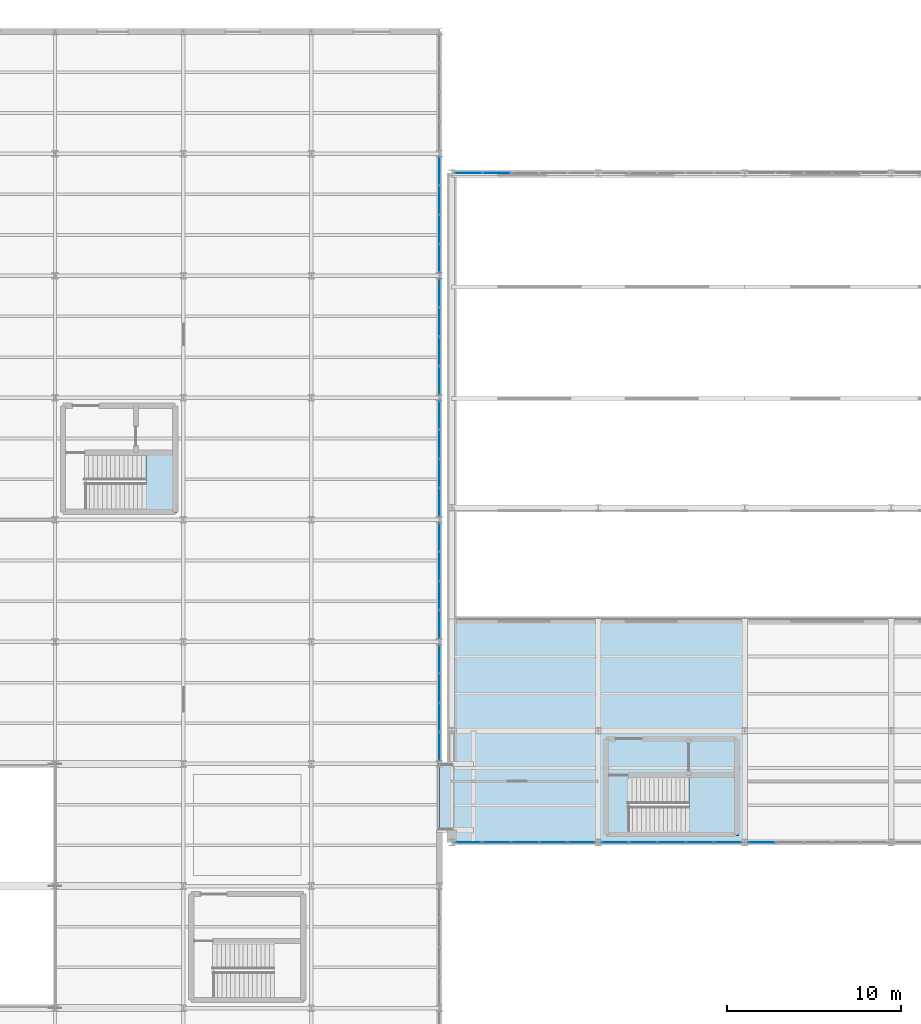
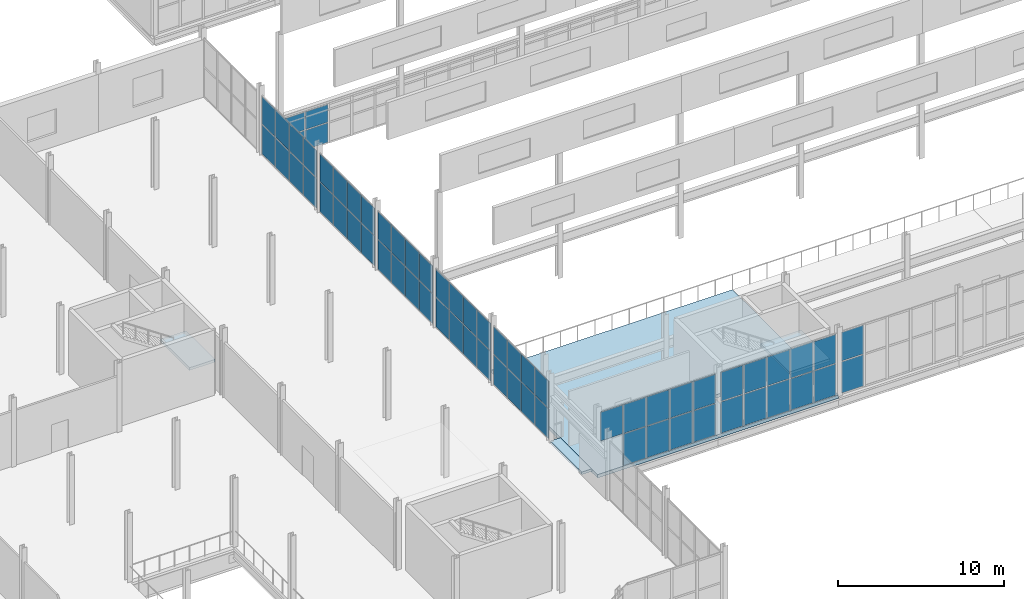
# One storey, part 179 of 218: 65 plates, 4 slabs, 11 elements without a shape of their own.
"""IFC4 building model written with IfcOpenShell, lengths in metres."""

from ifc_helpers import new_model, si_unit, direction, frame, origin, origin_2d, place, context, subcontext, project, spatial, polyline, rectangle, outline, extrude, material, layer, layer_set, type_object, element, aggregate, save


model = new_model("IFC4")

# Units and contexts
model_context = context("Model", 3, precision=1e-05, world=origin(), true_north=direction((0.0, 1.0)))
body_context = subcontext(model_context, "Body", "Model", "MODEL_VIEW")
ifc_project = project(units=[si_unit("LENGTHUNIT", "METRE"), si_unit("AREAUNIT", "SQUARE_METRE"), si_unit("VOLUMEUNIT", "CUBIC_METRE"), si_unit("PLANEANGLEUNIT", "RADIAN"), si_unit("MASSUNIT", "GRAM", prefix="KILO")], contexts=[model_context])

# Site, building, storey
site_placement = place(None, origin())
site = spatial("IfcSite", under=ifc_project, at=site_placement, CompositionType="ELEMENT")
building_placement = place(site_placement, origin())
building = spatial("IfcBuilding", under=site, at=building_placement, Name="Kazenagashi Tramway Depot", CompositionType="ELEMENT")
storey_placement = place(building_placement, frame((0.0, 0.0, 6.0)))
storey = spatial("IfcBuildingStorey", under=building, at=storey_placement, Name="L02", CompositionType="ELEMENT", Elevation=6.0)

# Curtain wall, plates
ifc_material_1 = material(Name="Anodised Aluminium and Low-E Glazing", Category="aluminium")
curtain_wall_type_1 = type_object("IfcCurtainWallType", Name="CW-20", PredefinedType="USERDEFINED", material=ifc_material_1)
curtain_wall_1_placement = place(storey_placement, origin())
curtain_wall_1 = element("IfcCurtainWall", 1, at=curtain_wall_1_placement, inside=storey, type_object=curtain_wall_type_1, Name="Industrial Glazed Screen CW-20 CW-0097", ObjectType="GLAZED SCREEN", PredefinedType="USERDEFINED")
ifc_material_2 = material(Name="Tempered Laminated Low-E Glass", Category="glass")
ifc_layer_1 = layer(ifc_material_2, 0.016)
ifc_layer_set_1 = layer_set([ifc_layer_1], Name="Tempered Laminated Low-E Glass")
plate_type_1 = type_object("IfcPlateType", Name="GL-01", PredefinedType="CURTAIN_PANEL", material=ifc_layer_set_1)
plate_1_placement = place(storey_placement, frame((62.567, 16.5, 0.06), z_axis=(0.0, 0.0, 1.0), x_axis=(1.0, 0.0, 0.0)))
plate_1 = element("IfcPlate", 2, at=plate_1_placement, type_object=plate_type_1, Name="CW-20 panel 1.1", PredefinedType="CURTAIN_PANEL", context=body_context, shape_type="SweptSolid", body=[
    extrude(rectangle(XDim=1.534, YDim=0.016, at=origin_2d()), origin(), (0.0, 0.0, 1.0), 2.302),
])
plate_2_placement = place(storey_placement, frame((62.567, 16.5, 2.422), z_axis=(0.0, 0.0, 1.0), x_axis=(1.0, 0.0, 0.0)))
plate_2 = element("IfcPlate", 3, at=plate_2_placement, type_object=plate_type_1, Name="CW-20 panel 1.2", PredefinedType="CURTAIN_PANEL", context=body_context, shape_type="SweptSolid", body=[
    extrude(rectangle(XDim=1.534, YDim=0.016, at=origin_2d()), origin(), (0.0, 0.0, 1.0), 2.118),
])
aggregate(curtain_wall_1, [plate_1, plate_2])

curtain_wall_type_2 = type_object("IfcCurtainWallType", Name="CW-34", PredefinedType="USERDEFINED", material=ifc_material_1)
curtain_wall_2_placement = place(storey_placement, origin())
curtain_wall_2 = element("IfcCurtainWall", 4, at=curtain_wall_2_placement, inside=storey, type_object=curtain_wall_type_2, Name="Industrial Glazed Screen CW-34 CW-0194", ObjectType="GLAZED SCREEN", PredefinedType="USERDEFINED")
ifc_layer_2 = layer(ifc_material_2, 0.018)
ifc_layer_set_2 = layer_set([ifc_layer_2], Name="Tempered Laminated Low-E Glass")
plate_type_2 = type_object("IfcPlateType", Name="GL-02", PredefinedType="CURTAIN_PANEL", material=ifc_layer_set_2)
plate_3_placement = place(storey_placement, frame((44.1, 49.995, 0.06), z_axis=(0.0, 0.0, 1.0), x_axis=(0.0, 1.0, 0.0)))
plate_3 = element("IfcPlate", 5, at=plate_3_placement, type_object=plate_type_2, Name="CW-34 panel 1.1", PredefinedType="CURTAIN_PANEL", context=body_context, shape_type="SweptSolid", body=[
    extrude(rectangle(XDim=1.59, YDim=0.018, at=origin_2d()), origin(), (0.0, 0.0, 1.0), 2.178),
])
plate_4_placement = place(storey_placement, frame((44.1, 49.995, 2.298), z_axis=(0.0, 0.0, 1.0), x_axis=(0.0, 1.0, 0.0)))
plate_4 = element("IfcPlate", 6, at=plate_4_placement, type_object=plate_type_2, Name="CW-34 panel 1.2", PredefinedType="CURTAIN_PANEL", context=body_context, shape_type="SweptSolid", body=[
    extrude(rectangle(XDim=1.59, YDim=0.018, at=origin_2d()), origin(), (0.0, 0.0, 1.0), 2.004),
])
plate_5_placement = place(storey_placement, frame((44.1, 51.66, 0.06), z_axis=(0.0, 0.0, 1.0), x_axis=(0.0, 1.0, 0.0)))
plate_5 = element("IfcPlate", 7, at=plate_5_placement, type_object=plate_type_2, Name="CW-34 panel 2.1", PredefinedType="CURTAIN_PANEL", context=body_context, shape_type="SweptSolid", body=[
    extrude(rectangle(XDim=1.62, YDim=0.018, at=origin_2d()), origin(), (0.0, 0.0, 1.0), 2.178),
])
plate_6_placement = place(storey_placement, frame((44.1, 51.66, 2.298), z_axis=(0.0, 0.0, 1.0), x_axis=(0.0, 1.0, 0.0)))
plate_6 = element("IfcPlate", 8, at=plate_6_placement, type_object=plate_type_2, Name="CW-34 panel 2.2", PredefinedType="CURTAIN_PANEL", context=body_context, shape_type="SweptSolid", body=[
    extrude(rectangle(XDim=1.62, YDim=0.018, at=origin_2d()), origin(), (0.0, 0.0, 1.0), 2.004),
])
plate_7_placement = place(storey_placement, frame((44.1, 53.34, 0.06), z_axis=(0.0, 0.0, 1.0), x_axis=(0.0, 1.0, 0.0)))
plate_7 = element("IfcPlate", 9, at=plate_7_placement, type_object=plate_type_2, Name="CW-34 panel 3.1", PredefinedType="CURTAIN_PANEL", context=body_context, shape_type="SweptSolid", body=[
    extrude(rectangle(XDim=1.62, YDim=0.018, at=origin_2d()), origin(), (0.0, 0.0, 1.0), 2.178),
])
plate_8_placement = place(storey_placement, frame((44.1, 53.34, 2.298), z_axis=(0.0, 0.0, 1.0), x_axis=(0.0, 1.0, 0.0)))
plate_8 = element("IfcPlate", 10, at=plate_8_placement, type_object=plate_type_2, Name="CW-34 panel 3.2", PredefinedType="CURTAIN_PANEL", context=body_context, shape_type="SweptSolid", body=[
    extrude(rectangle(XDim=1.62, YDim=0.018, at=origin_2d()), origin(), (0.0, 0.0, 1.0), 2.004),
])
plate_9_placement = place(storey_placement, frame((44.1, 55.005, 0.06), z_axis=(0.0, 0.0, 1.0), x_axis=(0.0, 1.0, 0.0)))
plate_9 = element("IfcPlate", 11, at=plate_9_placement, type_object=plate_type_2, Name="CW-34 panel 4.1", PredefinedType="CURTAIN_PANEL", context=body_context, shape_type="SweptSolid", body=[
    extrude(rectangle(XDim=1.59, YDim=0.018, at=origin_2d()), origin(), (0.0, 0.0, 1.0), 2.178),
])
plate_10_placement = place(storey_placement, frame((44.1, 55.005, 2.298), z_axis=(0.0, 0.0, 1.0), x_axis=(0.0, 1.0, 0.0)))
plate_10 = element("IfcPlate", 12, at=plate_10_placement, type_object=plate_type_2, Name="CW-34 panel 4.2", PredefinedType="CURTAIN_PANEL", context=body_context, shape_type="SweptSolid", body=[
    extrude(rectangle(XDim=1.59, YDim=0.018, at=origin_2d()), origin(), (0.0, 0.0, 1.0), 2.004),
])
aggregate(curtain_wall_2, [plate_3, plate_4, plate_5, plate_6, plate_7, plate_8, plate_9, plate_10])

curtain_wall_3_placement = place(storey_placement, origin())
curtain_wall_3 = element("IfcCurtainWall", 13, at=curtain_wall_3_placement, inside=storey, type_object=curtain_wall_type_2, Name="Industrial Glazed Screen CW-34 CW-0186", ObjectType="GLAZED SCREEN", PredefinedType="USERDEFINED")
ifc_layer_3 = layer(ifc_material_2, 0.034)
ifc_layer_set_3 = layer_set([ifc_layer_3], Name="Tempered Laminated Low-E Glass")
plate_type_3 = type_object("IfcPlateType", Name="GL-10", PredefinedType="CURTAIN_PANEL", material=ifc_layer_set_3)
plate_11_placement = place(storey_placement, frame((44.1, 21.995, 0.06), z_axis=(0.0, 0.0, 1.0), x_axis=(0.0, 1.0, 0.0)))
plate_11 = element("IfcPlate", 14, at=plate_11_placement, type_object=plate_type_3, Name="CW-34 panel 1.1", PredefinedType="CURTAIN_PANEL", context=body_context, shape_type="SweptSolid", body=[
    extrude(rectangle(XDim=1.59, YDim=0.034, at=origin_2d()), origin(), (0.0, 0.0, 1.0), 2.178),
])
plate_12_placement = place(storey_placement, frame((44.1, 21.995, 2.298), z_axis=(0.0, 0.0, 1.0), x_axis=(0.0, 1.0, 0.0)))
plate_12 = element("IfcPlate", 15, at=plate_12_placement, type_object=plate_type_3, Name="CW-34 panel 1.2", PredefinedType="CURTAIN_PANEL", context=body_context, shape_type="SweptSolid", body=[
    extrude(rectangle(XDim=1.59, YDim=0.034, at=origin_2d()), origin(), (0.0, 0.0, 1.0), 2.004),
])
plate_13_placement = place(storey_placement, frame((44.1, 23.66, 0.06), z_axis=(0.0, 0.0, 1.0), x_axis=(0.0, 1.0, 0.0)))
plate_13 = element("IfcPlate", 16, at=plate_13_placement, type_object=plate_type_3, Name="CW-34 panel 2.1", PredefinedType="CURTAIN_PANEL", context=body_context, shape_type="SweptSolid", body=[
    extrude(rectangle(XDim=1.62, YDim=0.034, at=origin_2d()), origin(), (0.0, 0.0, 1.0), 2.178),
])
plate_14_placement = place(storey_placement, frame((44.1, 23.66, 2.298), z_axis=(0.0, 0.0, 1.0), x_axis=(0.0, 1.0, 0.0)))
plate_14 = element("IfcPlate", 17, at=plate_14_placement, type_object=plate_type_3, Name="CW-34 panel 2.2", PredefinedType="CURTAIN_PANEL", context=body_context, shape_type="SweptSolid", body=[
    extrude(rectangle(XDim=1.62, YDim=0.034, at=origin_2d()), origin(), (0.0, 0.0, 1.0), 2.004),
])
plate_15_placement = place(storey_placement, frame((44.1, 25.34, 0.06), z_axis=(0.0, 0.0, 1.0), x_axis=(0.0, 1.0, 0.0)))
plate_15 = element("IfcPlate", 18, at=plate_15_placement, type_object=plate_type_3, Name="CW-34 panel 3.1", PredefinedType="CURTAIN_PANEL", context=body_context, shape_type="SweptSolid", body=[
    extrude(rectangle(XDim=1.62, YDim=0.034, at=origin_2d()), origin(), (0.0, 0.0, 1.0), 2.178),
])
plate_16_placement = place(storey_placement, frame((44.1, 25.34, 2.298), z_axis=(0.0, 0.0, 1.0), x_axis=(0.0, 1.0, 0.0)))
plate_16 = element("IfcPlate", 19, at=plate_16_placement, type_object=plate_type_3, Name="CW-34 panel 3.2", PredefinedType="CURTAIN_PANEL", context=body_context, shape_type="SweptSolid", body=[
    extrude(rectangle(XDim=1.62, YDim=0.034, at=origin_2d()), origin(), (0.0, 0.0, 1.0), 2.004),
])
plate_17_placement = place(storey_placement, frame((44.1, 27.005, 0.06), z_axis=(0.0, 0.0, 1.0), x_axis=(0.0, 1.0, 0.0)))
plate_17 = element("IfcPlate", 20, at=plate_17_placement, type_object=plate_type_3, Name="CW-34 panel 4.1", PredefinedType="CURTAIN_PANEL", context=body_context, shape_type="SweptSolid", body=[
    extrude(rectangle(XDim=1.59, YDim=0.034, at=origin_2d()), origin(), (0.0, 0.0, 1.0), 2.178),
])
plate_18_placement = place(storey_placement, frame((44.1, 27.005, 2.298), z_axis=(0.0, 0.0, 1.0), x_axis=(0.0, 1.0, 0.0)))
plate_18 = element("IfcPlate", 21, at=plate_18_placement, type_object=plate_type_3, Name="CW-34 panel 4.2", PredefinedType="CURTAIN_PANEL", context=body_context, shape_type="SweptSolid", body=[
    extrude(rectangle(XDim=1.59, YDim=0.034, at=origin_2d()), origin(), (0.0, 0.0, 1.0), 2.004),
])
aggregate(curtain_wall_3, [plate_11, plate_12, plate_13, plate_14, plate_15, plate_16, plate_17, plate_18])

curtain_wall_type_3 = type_object("IfcCurtainWallType", Name="CW-21", PredefinedType="USERDEFINED", material=ifc_material_1)
curtain_wall_4_placement = place(storey_placement, origin())
curtain_wall_4 = element("IfcCurtainWall", 22, at=curtain_wall_4_placement, inside=storey, type_object=curtain_wall_type_3, Name="Industrial Glazed Screen CW-21 CW-0107", ObjectType="GLAZED SCREEN", PredefinedType="USERDEFINED")
ifc_layer_4 = layer(ifc_material_2, 0.036)
ifc_layer_set_4 = layer_set([ifc_layer_4], Name="Tempered Laminated Low-E Glass")
plate_type_4 = type_object("IfcPlateType", Name="GL-11", PredefinedType="CURTAIN_PANEL", material=ifc_layer_set_4)
plate_19_placement = place(storey_placement, frame((45.767, 54.9, 0.06), z_axis=(0.0, 0.0, 1.0), x_axis=(1.0, 0.0, 0.0)))
plate_19 = element("IfcPlate", 23, at=plate_19_placement, type_object=plate_type_4, Name="CW-21 panel 1.1", PredefinedType="CURTAIN_PANEL", context=body_context, shape_type="SweptSolid", body=[
    extrude(rectangle(XDim=1.534, YDim=0.036, at=origin_2d()), origin(), (0.0, 0.0, 1.0), 1.418),
])
plate_20_placement = place(storey_placement, frame((45.767, 54.9, 1.538), z_axis=(0.0, 0.0, 1.0), x_axis=(1.0, 0.0, 0.0)))
plate_20 = element("IfcPlate", 24, at=plate_20_placement, type_object=plate_type_4, Name="CW-21 panel 1.2", PredefinedType="CURTAIN_PANEL", context=body_context, shape_type="SweptSolid", body=[
    extrude(rectangle(XDim=1.534, YDim=0.036, at=origin_2d()), origin(), (0.0, 0.0, 1.0), 1.302),
])
plate_21_placement = place(storey_placement, frame((47.376, 54.9, 0.06), z_axis=(0.0, 0.0, 1.0), x_axis=(1.0, 0.0, 0.0)))
plate_21 = element("IfcPlate", 25, at=plate_21_placement, type_object=plate_type_4, Name="CW-21 panel 2.1", PredefinedType="CURTAIN_PANEL", context=body_context, shape_type="SweptSolid", body=[
    extrude(rectangle(XDim=1.564, YDim=0.036, at=origin_2d()), origin(), (0.0, 0.0, 1.0), 1.418),
])
plate_22_placement = place(storey_placement, frame((47.376, 54.9, 1.538), z_axis=(0.0, 0.0, 1.0), x_axis=(1.0, 0.0, 0.0)))
plate_22 = element("IfcPlate", 26, at=plate_22_placement, type_object=plate_type_4, Name="CW-21 panel 2.2", PredefinedType="CURTAIN_PANEL", context=body_context, shape_type="SweptSolid", body=[
    extrude(rectangle(XDim=1.564, YDim=0.036, at=origin_2d()), origin(), (0.0, 0.0, 1.0), 1.302),
])
aggregate(curtain_wall_4, [plate_19, plate_20, plate_21, plate_22])

curtain_wall_5_placement = place(storey_placement, origin())
curtain_wall_5 = element("IfcCurtainWall", 27, at=curtain_wall_5_placement, inside=storey, type_object=curtain_wall_type_2, Name="Industrial Glazed Screen CW-34 CW-0188", ObjectType="GLAZED SCREEN", PredefinedType="USERDEFINED")
ifc_layer_5 = layer(ifc_material_2, 0.038)
ifc_layer_set_5 = layer_set([ifc_layer_5], Name="Tempered Laminated Low-E Glass")
plate_type_5 = type_object("IfcPlateType", Name="GL-12", PredefinedType="CURTAIN_PANEL", material=ifc_layer_set_5)
plate_23_placement = place(storey_placement, frame((44.1, 28.995, 0.06), z_axis=(0.0, 0.0, 1.0), x_axis=(0.0, 1.0, 0.0)))
plate_23 = element("IfcPlate", 28, at=plate_23_placement, type_object=plate_type_5, Name="CW-34 panel 1.1", PredefinedType="CURTAIN_PANEL", context=body_context, shape_type="SweptSolid", body=[
    extrude(rectangle(XDim=1.59, YDim=0.038, at=origin_2d()), origin(), (0.0, 0.0, 1.0), 2.178),
])
plate_24_placement = place(storey_placement, frame((44.1, 28.995, 2.298), z_axis=(0.0, 0.0, 1.0), x_axis=(0.0, 1.0, 0.0)))
plate_24 = element("IfcPlate", 29, at=plate_24_placement, type_object=plate_type_5, Name="CW-34 panel 1.2", PredefinedType="CURTAIN_PANEL", context=body_context, shape_type="SweptSolid", body=[
    extrude(rectangle(XDim=1.59, YDim=0.038, at=origin_2d()), origin(), (0.0, 0.0, 1.0), 2.004),
])
plate_25_placement = place(storey_placement, frame((44.1, 30.66, 0.06), z_axis=(0.0, 0.0, 1.0), x_axis=(0.0, 1.0, 0.0)))
plate_25 = element("IfcPlate", 30, at=plate_25_placement, type_object=plate_type_5, Name="CW-34 panel 2.1", PredefinedType="CURTAIN_PANEL", context=body_context, shape_type="SweptSolid", body=[
    extrude(rectangle(XDim=1.62, YDim=0.038, at=origin_2d()), origin(), (0.0, 0.0, 1.0), 2.178),
])
plate_26_placement = place(storey_placement, frame((44.1, 30.66, 2.298), z_axis=(0.0, 0.0, 1.0), x_axis=(0.0, 1.0, 0.0)))
plate_26 = element("IfcPlate", 31, at=plate_26_placement, type_object=plate_type_5, Name="CW-34 panel 2.2", PredefinedType="CURTAIN_PANEL", context=body_context, shape_type="SweptSolid", body=[
    extrude(rectangle(XDim=1.62, YDim=0.038, at=origin_2d()), origin(), (0.0, 0.0, 1.0), 2.004),
])
plate_27_placement = place(storey_placement, frame((44.1, 32.34, 0.06), z_axis=(0.0, 0.0, 1.0), x_axis=(0.0, 1.0, 0.0)))
plate_27 = element("IfcPlate", 32, at=plate_27_placement, type_object=plate_type_5, Name="CW-34 panel 3.1", PredefinedType="CURTAIN_PANEL", context=body_context, shape_type="SweptSolid", body=[
    extrude(rectangle(XDim=1.62, YDim=0.038, at=origin_2d()), origin(), (0.0, 0.0, 1.0), 2.178),
])
plate_28_placement = place(storey_placement, frame((44.1, 32.34, 2.298), z_axis=(0.0, 0.0, 1.0), x_axis=(0.0, 1.0, 0.0)))
plate_28 = element("IfcPlate", 33, at=plate_28_placement, type_object=plate_type_5, Name="CW-34 panel 3.2", PredefinedType="CURTAIN_PANEL", context=body_context, shape_type="SweptSolid", body=[
    extrude(rectangle(XDim=1.62, YDim=0.038, at=origin_2d()), origin(), (0.0, 0.0, 1.0), 2.004),
])
plate_29_placement = place(storey_placement, frame((44.1, 34.005, 0.06), z_axis=(0.0, 0.0, 1.0), x_axis=(0.0, 1.0, 0.0)))
plate_29 = element("IfcPlate", 34, at=plate_29_placement, type_object=plate_type_5, Name="CW-34 panel 4.1", PredefinedType="CURTAIN_PANEL", context=body_context, shape_type="SweptSolid", body=[
    extrude(rectangle(XDim=1.59, YDim=0.038, at=origin_2d()), origin(), (0.0, 0.0, 1.0), 2.178),
])
plate_30_placement = place(storey_placement, frame((44.1, 34.005, 2.298), z_axis=(0.0, 0.0, 1.0), x_axis=(0.0, 1.0, 0.0)))
plate_30 = element("IfcPlate", 35, at=plate_30_placement, type_object=plate_type_5, Name="CW-34 panel 4.2", PredefinedType="CURTAIN_PANEL", context=body_context, shape_type="SweptSolid", body=[
    extrude(rectangle(XDim=1.59, YDim=0.038, at=origin_2d()), origin(), (0.0, 0.0, 1.0), 2.004),
])
aggregate(curtain_wall_5, [plate_23, plate_24, plate_25, plate_26, plate_27, plate_28, plate_29, plate_30])

curtain_wall_6_placement = place(storey_placement, origin())
curtain_wall_6 = element("IfcCurtainWall", 36, at=curtain_wall_6_placement, inside=storey, type_object=curtain_wall_type_2, Name="Industrial Glazed Screen CW-34 CW-0190", ObjectType="GLAZED SCREEN", PredefinedType="USERDEFINED")
ifc_layer_6 = layer(ifc_material_2, 0.042)
ifc_layer_set_6 = layer_set([ifc_layer_6], Name="Tempered Laminated Low-E Glass")
plate_type_6 = type_object("IfcPlateType", Name="GL-14", PredefinedType="CURTAIN_PANEL", material=ifc_layer_set_6)
plate_31_placement = place(storey_placement, frame((44.1, 35.995, 0.06), z_axis=(0.0, 0.0, 1.0), x_axis=(0.0, 1.0, 0.0)))
plate_31 = element("IfcPlate", 37, at=plate_31_placement, type_object=plate_type_6, Name="CW-34 panel 1.1", PredefinedType="CURTAIN_PANEL", context=body_context, shape_type="SweptSolid", body=[
    extrude(rectangle(XDim=1.59, YDim=0.042, at=origin_2d()), origin(), (0.0, 0.0, 1.0), 2.178),
])
plate_32_placement = place(storey_placement, frame((44.1, 35.995, 2.298), z_axis=(0.0, 0.0, 1.0), x_axis=(0.0, 1.0, 0.0)))
plate_32 = element("IfcPlate", 38, at=plate_32_placement, type_object=plate_type_6, Name="CW-34 panel 1.2", PredefinedType="CURTAIN_PANEL", context=body_context, shape_type="SweptSolid", body=[
    extrude(rectangle(XDim=1.59, YDim=0.042, at=origin_2d()), origin(), (0.0, 0.0, 1.0), 2.004),
])
plate_33_placement = place(storey_placement, frame((44.1, 37.66, 0.06), z_axis=(0.0, 0.0, 1.0), x_axis=(0.0, 1.0, 0.0)))
plate_33 = element("IfcPlate", 39, at=plate_33_placement, type_object=plate_type_6, Name="CW-34 panel 2.1", PredefinedType="CURTAIN_PANEL", context=body_context, shape_type="SweptSolid", body=[
    extrude(rectangle(XDim=1.62, YDim=0.042, at=origin_2d()), origin(), (0.0, 0.0, 1.0), 2.178),
])
plate_34_placement = place(storey_placement, frame((44.1, 37.66, 2.298), z_axis=(0.0, 0.0, 1.0), x_axis=(0.0, 1.0, 0.0)))
plate_34 = element("IfcPlate", 40, at=plate_34_placement, type_object=plate_type_6, Name="CW-34 panel 2.2", PredefinedType="CURTAIN_PANEL", context=body_context, shape_type="SweptSolid", body=[
    extrude(rectangle(XDim=1.62, YDim=0.042, at=origin_2d()), origin(), (0.0, 0.0, 1.0), 2.004),
])
plate_35_placement = place(storey_placement, frame((44.1, 39.34, 0.06), z_axis=(0.0, 0.0, 1.0), x_axis=(0.0, 1.0, 0.0)))
plate_35 = element("IfcPlate", 41, at=plate_35_placement, type_object=plate_type_6, Name="CW-34 panel 3.1", PredefinedType="CURTAIN_PANEL", context=body_context, shape_type="SweptSolid", body=[
    extrude(rectangle(XDim=1.62, YDim=0.042, at=origin_2d()), origin(), (0.0, 0.0, 1.0), 2.178),
])
plate_36_placement = place(storey_placement, frame((44.1, 39.34, 2.298), z_axis=(0.0, 0.0, 1.0), x_axis=(0.0, 1.0, 0.0)))
plate_36 = element("IfcPlate", 42, at=plate_36_placement, type_object=plate_type_6, Name="CW-34 panel 3.2", PredefinedType="CURTAIN_PANEL", context=body_context, shape_type="SweptSolid", body=[
    extrude(rectangle(XDim=1.62, YDim=0.042, at=origin_2d()), origin(), (0.0, 0.0, 1.0), 2.004),
])
plate_37_placement = place(storey_placement, frame((44.1, 41.005, 0.06), z_axis=(0.0, 0.0, 1.0), x_axis=(0.0, 1.0, 0.0)))
plate_37 = element("IfcPlate", 43, at=plate_37_placement, type_object=plate_type_6, Name="CW-34 panel 4.1", PredefinedType="CURTAIN_PANEL", context=body_context, shape_type="SweptSolid", body=[
    extrude(rectangle(XDim=1.59, YDim=0.042, at=origin_2d()), origin(), (0.0, 0.0, 1.0), 2.178),
])
plate_38_placement = place(storey_placement, frame((44.1, 41.005, 2.298), z_axis=(0.0, 0.0, 1.0), x_axis=(0.0, 1.0, 0.0)))
plate_38 = element("IfcPlate", 44, at=plate_38_placement, type_object=plate_type_6, Name="CW-34 panel 4.2", PredefinedType="CURTAIN_PANEL", context=body_context, shape_type="SweptSolid", body=[
    extrude(rectangle(XDim=1.59, YDim=0.042, at=origin_2d()), origin(), (0.0, 0.0, 1.0), 2.004),
])
aggregate(curtain_wall_6, [plate_31, plate_32, plate_33, plate_34, plate_35, plate_36, plate_37, plate_38])

curtain_wall_7_placement = place(storey_placement, origin())
curtain_wall_7 = element("IfcCurtainWall", 45, at=curtain_wall_7_placement, inside=storey, type_object=curtain_wall_type_1, Name="Industrial Glazed Screen CW-20 CW-0095", ObjectType="GLAZED SCREEN", PredefinedType="USERDEFINED")
ifc_layer_7 = layer(ifc_material_2, 0.044)
ifc_layer_set_7 = layer_set([ifc_layer_7], Name="Tempered Laminated Low-E Glass")
plate_type_7 = type_object("IfcPlateType", Name="GL-15", PredefinedType="CURTAIN_PANEL", material=ifc_layer_set_7)
plate_39_placement = place(storey_placement, frame((45.767, 16.5, 2.422), z_axis=(0.0, 0.0, 1.0), x_axis=(1.0, 0.0, 0.0)))
plate_39 = element("IfcPlate", 46, at=plate_39_placement, type_object=plate_type_7, Name="CW-20 panel 1.2", PredefinedType="CURTAIN_PANEL", context=body_context, shape_type="SweptSolid", body=[
    extrude(rectangle(XDim=1.534, YDim=0.044, at=origin_2d()), origin(), (0.0, 0.0, 1.0), 2.118),
])
plate_40_placement = place(storey_placement, frame((47.376, 16.5, 0.06), z_axis=(0.0, 0.0, 1.0), x_axis=(1.0, 0.0, 0.0)))
plate_40 = element("IfcPlate", 47, at=plate_40_placement, type_object=plate_type_7, Name="CW-20 panel 2.1", PredefinedType="CURTAIN_PANEL", context=body_context, shape_type="SweptSolid", body=[
    extrude(rectangle(XDim=1.564, YDim=0.044, at=origin_2d()), origin(), (0.0, 0.0, 1.0), 2.302),
])
plate_41_placement = place(storey_placement, frame((47.376, 16.5, 2.422), z_axis=(0.0, 0.0, 1.0), x_axis=(1.0, 0.0, 0.0)))
plate_41 = element("IfcPlate", 48, at=plate_41_placement, type_object=plate_type_7, Name="CW-20 panel 2.2", PredefinedType="CURTAIN_PANEL", context=body_context, shape_type="SweptSolid", body=[
    extrude(rectangle(XDim=1.564, YDim=0.044, at=origin_2d()), origin(), (0.0, 0.0, 1.0), 2.118),
])
plate_42_placement = place(storey_placement, frame((49.0, 16.5, 0.06), z_axis=(0.0, 0.0, 1.0), x_axis=(1.0, 0.0, 0.0)))
plate_42 = element("IfcPlate", 49, at=plate_42_placement, type_object=plate_type_7, Name="CW-20 panel 3.1", PredefinedType="CURTAIN_PANEL", context=body_context, shape_type="SweptSolid", body=[
    extrude(rectangle(XDim=1.564, YDim=0.044, at=origin_2d()), origin(), (0.0, 0.0, 1.0), 2.302),
])
plate_43_placement = place(storey_placement, frame((49.0, 16.5, 2.422), z_axis=(0.0, 0.0, 1.0), x_axis=(1.0, 0.0, 0.0)))
plate_43 = element("IfcPlate", 50, at=plate_43_placement, type_object=plate_type_7, Name="CW-20 panel 3.2", PredefinedType="CURTAIN_PANEL", context=body_context, shape_type="SweptSolid", body=[
    extrude(rectangle(XDim=1.564, YDim=0.044, at=origin_2d()), origin(), (0.0, 0.0, 1.0), 2.118),
])
plate_44_placement = place(storey_placement, frame((50.624, 16.5, 0.06), z_axis=(0.0, 0.0, 1.0), x_axis=(1.0, 0.0, 0.0)))
plate_44 = element("IfcPlate", 51, at=plate_44_placement, type_object=plate_type_7, Name="CW-20 panel 4.1", PredefinedType="CURTAIN_PANEL", context=body_context, shape_type="SweptSolid", body=[
    extrude(rectangle(XDim=1.564, YDim=0.044, at=origin_2d()), origin(), (0.0, 0.0, 1.0), 2.302),
])
plate_45_placement = place(storey_placement, frame((50.624, 16.5, 2.422), z_axis=(0.0, 0.0, 1.0), x_axis=(1.0, 0.0, 0.0)))
plate_45 = element("IfcPlate", 52, at=plate_45_placement, type_object=plate_type_7, Name="CW-20 panel 4.2", PredefinedType="CURTAIN_PANEL", context=body_context, shape_type="SweptSolid", body=[
    extrude(rectangle(XDim=1.564, YDim=0.044, at=origin_2d()), origin(), (0.0, 0.0, 1.0), 2.118),
])
plate_46_placement = place(storey_placement, frame((52.233, 16.5, 0.06), z_axis=(0.0, 0.0, 1.0), x_axis=(1.0, 0.0, 0.0)))
plate_46 = element("IfcPlate", 53, at=plate_46_placement, type_object=plate_type_7, Name="CW-20 panel 5.1", PredefinedType="CURTAIN_PANEL", context=body_context, shape_type="SweptSolid", body=[
    extrude(rectangle(XDim=1.534, YDim=0.044, at=origin_2d()), origin(), (0.0, 0.0, 1.0), 2.302),
])
plate_47_placement = place(storey_placement, frame((52.233, 16.5, 2.422), z_axis=(0.0, 0.0, 1.0), x_axis=(1.0, 0.0, 0.0)))
plate_47 = element("IfcPlate", 54, at=plate_47_placement, type_object=plate_type_7, Name="CW-20 panel 5.2", PredefinedType="CURTAIN_PANEL", context=body_context, shape_type="SweptSolid", body=[
    extrude(rectangle(XDim=1.534, YDim=0.044, at=origin_2d()), origin(), (0.0, 0.0, 1.0), 2.118),
])
aggregate(curtain_wall_7, [plate_39, plate_40, plate_41, plate_42, plate_43, plate_44, plate_45, plate_46, plate_47])

curtain_wall_8_placement = place(storey_placement, origin())
curtain_wall_8 = element("IfcCurtainWall", 55, at=curtain_wall_8_placement, inside=storey, type_object=curtain_wall_type_1, Name="Industrial Glazed Screen CW-20 CW-0096", ObjectType="GLAZED SCREEN", PredefinedType="USERDEFINED")
ifc_layer_8 = layer(ifc_material_2, 0.046)
ifc_layer_set_8 = layer_set([ifc_layer_8], Name="Tempered Laminated Low-E Glass")
plate_type_8 = type_object("IfcPlateType", Name="GL-16", PredefinedType="CURTAIN_PANEL", material=ifc_layer_set_8)
plate_48_placement = place(storey_placement, frame((54.167, 16.5, 0.06), z_axis=(0.0, 0.0, 1.0), x_axis=(1.0, 0.0, 0.0)))
plate_48 = element("IfcPlate", 56, at=plate_48_placement, type_object=plate_type_8, Name="CW-20 panel 1.1", PredefinedType="CURTAIN_PANEL", context=body_context, shape_type="SweptSolid", body=[
    extrude(rectangle(XDim=1.534, YDim=0.046, at=origin_2d()), origin(), (0.0, 0.0, 1.0), 2.302),
])
plate_49_placement = place(storey_placement, frame((54.167, 16.5, 2.422), z_axis=(0.0, 0.0, 1.0), x_axis=(1.0, 0.0, 0.0)))
plate_49 = element("IfcPlate", 57, at=plate_49_placement, type_object=plate_type_8, Name="CW-20 panel 1.2", PredefinedType="CURTAIN_PANEL", context=body_context, shape_type="SweptSolid", body=[
    extrude(rectangle(XDim=1.534, YDim=0.046, at=origin_2d()), origin(), (0.0, 0.0, 1.0), 2.118),
])
plate_50_placement = place(storey_placement, frame((55.776, 16.5, 0.06), z_axis=(0.0, 0.0, 1.0), x_axis=(1.0, 0.0, 0.0)))
plate_50 = element("IfcPlate", 58, at=plate_50_placement, type_object=plate_type_8, Name="CW-20 panel 2.1", PredefinedType="CURTAIN_PANEL", context=body_context, shape_type="SweptSolid", body=[
    extrude(rectangle(XDim=1.564, YDim=0.046, at=origin_2d()), origin(), (0.0, 0.0, 1.0), 2.302),
])
plate_51_placement = place(storey_placement, frame((55.776, 16.5, 2.422), z_axis=(0.0, 0.0, 1.0), x_axis=(1.0, 0.0, 0.0)))
plate_51 = element("IfcPlate", 59, at=plate_51_placement, type_object=plate_type_8, Name="CW-20 panel 2.2", PredefinedType="CURTAIN_PANEL", context=body_context, shape_type="SweptSolid", body=[
    extrude(rectangle(XDim=1.564, YDim=0.046, at=origin_2d()), origin(), (0.0, 0.0, 1.0), 2.118),
])
plate_52_placement = place(storey_placement, frame((57.4, 16.5, 0.06), z_axis=(0.0, 0.0, 1.0), x_axis=(1.0, 0.0, 0.0)))
plate_52 = element("IfcPlate", 60, at=plate_52_placement, type_object=plate_type_8, Name="CW-20 panel 3.1", PredefinedType="CURTAIN_PANEL", context=body_context, shape_type="SweptSolid", body=[
    extrude(rectangle(XDim=1.564, YDim=0.046, at=origin_2d()), origin(), (0.0, 0.0, 1.0), 2.302),
])
plate_53_placement = place(storey_placement, frame((57.4, 16.5, 2.422), z_axis=(0.0, 0.0, 1.0), x_axis=(1.0, 0.0, 0.0)))
plate_53 = element("IfcPlate", 61, at=plate_53_placement, type_object=plate_type_8, Name="CW-20 panel 3.2", PredefinedType="CURTAIN_PANEL", context=body_context, shape_type="SweptSolid", body=[
    extrude(rectangle(XDim=1.564, YDim=0.046, at=origin_2d()), origin(), (0.0, 0.0, 1.0), 2.118),
])
plate_54_placement = place(storey_placement, frame((59.024, 16.5, 0.06), z_axis=(0.0, 0.0, 1.0), x_axis=(1.0, 0.0, 0.0)))
plate_54 = element("IfcPlate", 62, at=plate_54_placement, type_object=plate_type_8, Name="CW-20 panel 4.1", PredefinedType="CURTAIN_PANEL", context=body_context, shape_type="SweptSolid", body=[
    extrude(rectangle(XDim=1.564, YDim=0.046, at=origin_2d()), origin(), (0.0, 0.0, 1.0), 2.302),
])
plate_55_placement = place(storey_placement, frame((59.024, 16.5, 2.422), z_axis=(0.0, 0.0, 1.0), x_axis=(1.0, 0.0, 0.0)))
plate_55 = element("IfcPlate", 63, at=plate_55_placement, type_object=plate_type_8, Name="CW-20 panel 4.2", PredefinedType="CURTAIN_PANEL", context=body_context, shape_type="SweptSolid", body=[
    extrude(rectangle(XDim=1.564, YDim=0.046, at=origin_2d()), origin(), (0.0, 0.0, 1.0), 2.118),
])
plate_56_placement = place(storey_placement, frame((60.633, 16.5, 0.06), z_axis=(0.0, 0.0, 1.0), x_axis=(1.0, 0.0, 0.0)))
plate_56 = element("IfcPlate", 64, at=plate_56_placement, type_object=plate_type_8, Name="CW-20 panel 5.1", PredefinedType="CURTAIN_PANEL", context=body_context, shape_type="SweptSolid", body=[
    extrude(rectangle(XDim=1.534, YDim=0.046, at=origin_2d()), origin(), (0.0, 0.0, 1.0), 2.302),
])
plate_57_placement = place(storey_placement, frame((60.633, 16.5, 2.422), z_axis=(0.0, 0.0, 1.0), x_axis=(1.0, 0.0, 0.0)))
plate_57 = element("IfcPlate", 65, at=plate_57_placement, type_object=plate_type_8, Name="CW-20 panel 5.2", PredefinedType="CURTAIN_PANEL", context=body_context, shape_type="SweptSolid", body=[
    extrude(rectangle(XDim=1.534, YDim=0.046, at=origin_2d()), origin(), (0.0, 0.0, 1.0), 2.118),
])
aggregate(curtain_wall_8, [plate_48, plate_49, plate_50, plate_51, plate_52, plate_53, plate_54, plate_55, plate_56, plate_57])

curtain_wall_9_placement = place(storey_placement, origin())
curtain_wall_9 = element("IfcCurtainWall", 66, at=curtain_wall_9_placement, inside=storey, type_object=curtain_wall_type_2, Name="Industrial Glazed Screen CW-34 CW-0192", ObjectType="GLAZED SCREEN", PredefinedType="USERDEFINED")
plate_58_placement = place(storey_placement, frame((44.1, 42.995, 0.06), z_axis=(0.0, 0.0, 1.0), x_axis=(0.0, 1.0, 0.0)))
plate_58 = element("IfcPlate", 67, at=plate_58_placement, type_object=plate_type_8, Name="CW-34 panel 1.1", PredefinedType="CURTAIN_PANEL", context=body_context, shape_type="SweptSolid", body=[
    extrude(rectangle(XDim=1.59, YDim=0.046, at=origin_2d()), origin(), (0.0, 0.0, 1.0), 2.178),
])
plate_59_placement = place(storey_placement, frame((44.1, 42.995, 2.298), z_axis=(0.0, 0.0, 1.0), x_axis=(0.0, 1.0, 0.0)))
plate_59 = element("IfcPlate", 68, at=plate_59_placement, type_object=plate_type_8, Name="CW-34 panel 1.2", PredefinedType="CURTAIN_PANEL", context=body_context, shape_type="SweptSolid", body=[
    extrude(rectangle(XDim=1.59, YDim=0.046, at=origin_2d()), origin(), (0.0, 0.0, 1.0), 2.004),
])
plate_60_placement = place(storey_placement, frame((44.1, 44.66, 0.06), z_axis=(0.0, 0.0, 1.0), x_axis=(0.0, 1.0, 0.0)))
plate_60 = element("IfcPlate", 69, at=plate_60_placement, type_object=plate_type_8, Name="CW-34 panel 2.1", PredefinedType="CURTAIN_PANEL", context=body_context, shape_type="SweptSolid", body=[
    extrude(rectangle(XDim=1.62, YDim=0.046, at=origin_2d()), origin(), (0.0, 0.0, 1.0), 2.178),
])
plate_61_placement = place(storey_placement, frame((44.1, 44.66, 2.298), z_axis=(0.0, 0.0, 1.0), x_axis=(0.0, 1.0, 0.0)))
plate_61 = element("IfcPlate", 70, at=plate_61_placement, type_object=plate_type_8, Name="CW-34 panel 2.2", PredefinedType="CURTAIN_PANEL", context=body_context, shape_type="SweptSolid", body=[
    extrude(rectangle(XDim=1.62, YDim=0.046, at=origin_2d()), origin(), (0.0, 0.0, 1.0), 2.004),
])
plate_62_placement = place(storey_placement, frame((44.1, 46.34, 0.06), z_axis=(0.0, 0.0, 1.0), x_axis=(0.0, 1.0, 0.0)))
plate_62 = element("IfcPlate", 71, at=plate_62_placement, type_object=plate_type_8, Name="CW-34 panel 3.1", PredefinedType="CURTAIN_PANEL", context=body_context, shape_type="SweptSolid", body=[
    extrude(rectangle(XDim=1.62, YDim=0.046, at=origin_2d()), origin(), (0.0, 0.0, 1.0), 2.178),
])
plate_63_placement = place(storey_placement, frame((44.1, 46.34, 2.298), z_axis=(0.0, 0.0, 1.0), x_axis=(0.0, 1.0, 0.0)))
plate_63 = element("IfcPlate", 72, at=plate_63_placement, type_object=plate_type_8, Name="CW-34 panel 3.2", PredefinedType="CURTAIN_PANEL", context=body_context, shape_type="SweptSolid", body=[
    extrude(rectangle(XDim=1.62, YDim=0.046, at=origin_2d()), origin(), (0.0, 0.0, 1.0), 2.004),
])
plate_64_placement = place(storey_placement, frame((44.1, 48.005, 0.06), z_axis=(0.0, 0.0, 1.0), x_axis=(0.0, 1.0, 0.0)))
plate_64 = element("IfcPlate", 73, at=plate_64_placement, type_object=plate_type_8, Name="CW-34 panel 4.1", PredefinedType="CURTAIN_PANEL", context=body_context, shape_type="SweptSolid", body=[
    extrude(rectangle(XDim=1.59, YDim=0.046, at=origin_2d()), origin(), (0.0, 0.0, 1.0), 2.178),
])
plate_65_placement = place(storey_placement, frame((44.1, 48.005, 2.298), z_axis=(0.0, 0.0, 1.0), x_axis=(0.0, 1.0, 0.0)))
plate_65 = element("IfcPlate", 74, at=plate_65_placement, type_object=plate_type_8, Name="CW-34 panel 4.2", PredefinedType="CURTAIN_PANEL", context=body_context, shape_type="SweptSolid", body=[
    extrude(rectangle(XDim=1.59, YDim=0.046, at=origin_2d()), origin(), (0.0, 0.0, 1.0), 2.004),
])
aggregate(curtain_wall_9, [plate_58, plate_59, plate_60, plate_61, plate_62, plate_63, plate_64, plate_65])

# Slabs
ifc_material_3 = material(Name="Concrete Fc36", Category="concrete")
ifc_layer_9 = layer(ifc_material_3, 0.25)
ifc_layer_set_9 = layer_set([ifc_layer_9], Name="Concrete Fc36")
slab_type_1 = type_object("IfcSlabType", Name="SL-04", PredefinedType="FLOOR", material=ifc_layer_set_9)
slab_1_placement = place(storey_placement, frame((0.0, 0.0, -0.25)))
element("IfcSlab", 75, at=slab_1_placement, inside=storey, type_object=slab_type_1, Name="Overhaul Mezzanine Slab 1 SLAB-057", PredefinedType="FLOOR", context=body_context, shape_type="SweptSolid", body=[
    extrude(outline(polyline([(44.8, 29.3), (61.6, 29.3), (61.6, 16.5), (44.8, 16.5), (44.8, 29.3)]), holes=[polyline([(60.99, 20.2), (54.96, 20.2), (54.96, 17.11), (60.99, 17.11), (60.99, 20.2)])]), origin(), (0.0, 0.0, 1.0), 0.25),
])
ifc_layer_10 = layer(ifc_material_3, 0.18)
ifc_layer_set_10 = layer_set([ifc_layer_10], Name="Concrete Fc36")
slab_type_2 = type_object("IfcSlabType", Name="SL-07", PredefinedType="FLOOR", material=ifc_layer_set_10)
slab_2_placement = place(storey_placement, frame((0.0, 0.0, -0.18)))
element("IfcSlab", 76, at=slab_2_placement, inside=storey, type_object=slab_type_2, Name="West Operations-to-Overhaul Seismic Link Bridge BR1 Deck SLAB-076", PredefinedType="FLOOR", context=body_context, shape_type="SweptSolid", body=[
    extrude(outline(polyline([(44.1, 17.2), (44.8, 17.2), (44.8, 21.0), (44.1, 21.0), (44.1, 17.2)])), origin(), (0.0, 0.0, 1.0), 0.18),
])

# Stair, slab
stair_type_1 = type_object("IfcStairType", Name="ST-T6", PredefinedType="USERDEFINED", material=ifc_material_3)
stair_1_placement = place(storey_placement, origin())
stair_1 = element("IfcStair", 77, at=stair_1_placement, inside=storey, type_object=stair_type_1, Name="Enclosed Escape Stair ST-06", ObjectType="TWO_RETURN_STAIR", PredefinedType="USERDEFINED")
ifc_layer_11 = layer(ifc_material_3, 0.195)
ifc_layer_set_11 = layer_set([ifc_layer_11], Name="Concrete Fc36")
slab_type_3 = type_object("IfcSlabType", Name="SL-LD1", PredefinedType="LANDING", material=ifc_layer_set_11)
slab_3_placement = place(storey_placement, frame((0.0, 0.0, 2.355)))
slab_3 = element("IfcSlab", 78, at=slab_3_placement, type_object=slab_type_3, Name="ST-06 landing 1", PredefinedType="LANDING", context=body_context, shape_type="SweptSolid", body=[
    extrude(outline(polyline([(27.258, 35.41), (29.04, 35.41), (29.04, 38.9), (27.258, 38.9), (27.258, 35.41)])), origin(), (0.0, 0.0, 1.0), 0.195),
])
aggregate(stair_1, [slab_3])

stair_type_2 = type_object("IfcStairType", Name="ST-T3", PredefinedType="USERDEFINED", material=ifc_material_3)
stair_2_placement = place(storey_placement, origin())
stair_2 = element("IfcStair", 79, at=stair_2_placement, inside=storey, type_object=stair_type_2, Name="Enclosed Escape Stair ST-18", ObjectType="TWO_RETURN_STAIR", PredefinedType="USERDEFINED")
slab_4_placement = place(storey_placement, frame((0.0, 0.0, 2.355)))
slab_4 = element("IfcSlab", 80, at=slab_4_placement, type_object=slab_type_3, Name="ST-18 landing 1", PredefinedType="LANDING", context=body_context, shape_type="SweptSolid", body=[
    extrude(outline(polyline([(58.408, 16.91), (61.24, 16.91), (61.24, 20.4), (58.408, 20.4), (58.408, 16.91)])), origin(), (0.0, 0.0, 1.0), 0.195),
])
aggregate(stair_2, [slab_4])

save(model, "model.ifc")
